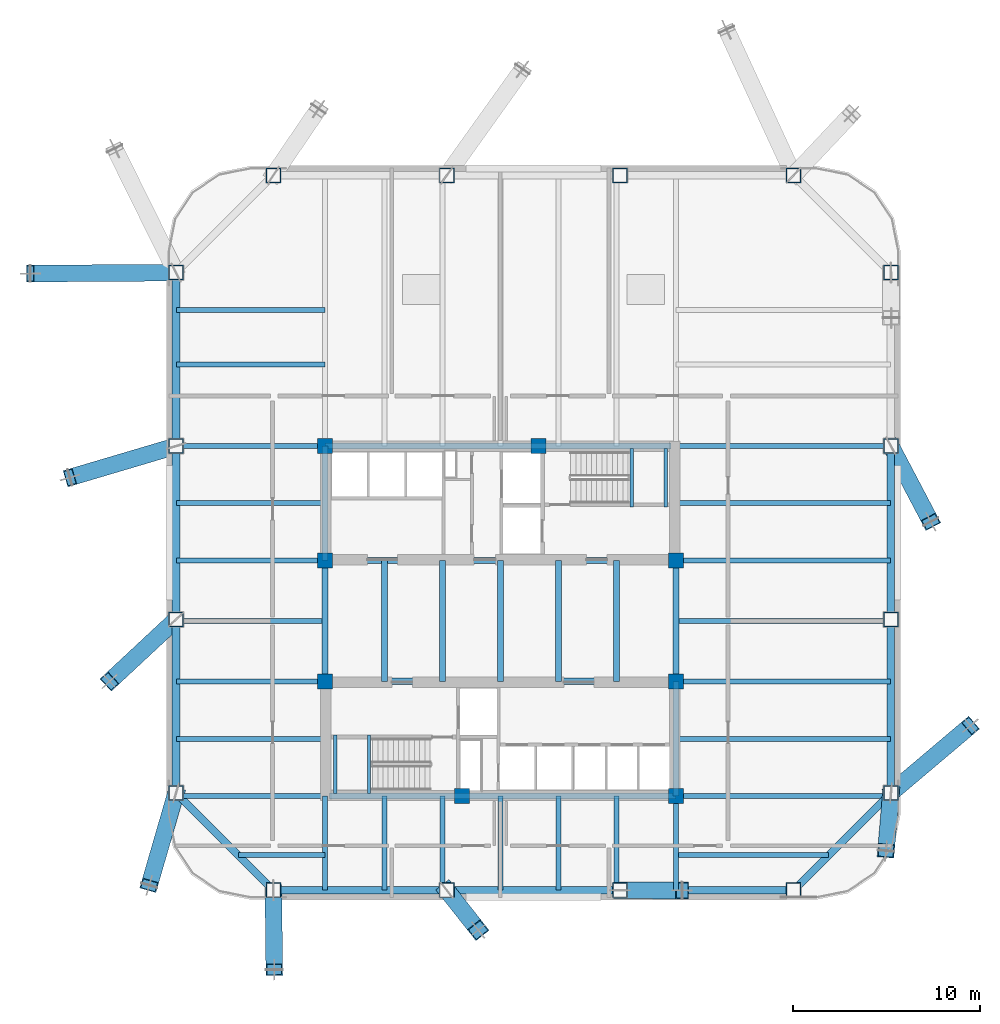
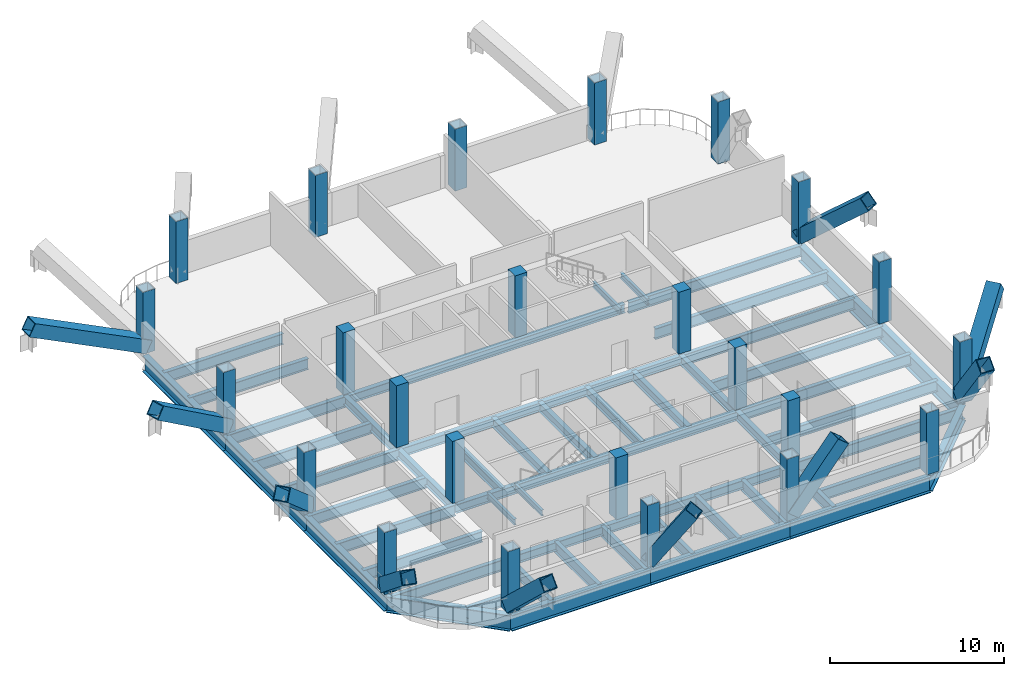
# One storey, part 1 of 7: 52 beams, 24 columns, 10 members.
"""IFC4 building model written with IfcOpenShell, lengths in metres."""

import ifcopenshell
import ifcopenshell.guid

model = None  # the IFC model being written
_history = None  # IfcOwnerHistory: only IFC2X3 demands one
_inside = {}  # id of a spatial element -> (the spatial element, [elements in it])
_under = {}  # id of a project, library or spatial element -> (it, [spatial elements below it])
_declared = {}  # id of a project -> (the project, [libraries it declares])
_typed = {}  # id of a type object -> (the type object, [elements of that type])
_made_of = {}  # id of a material, layer set ... -> (it, [elements and type objects made of it])


def new_model(schema):
    """Start an empty IFC model of exactly this schema.

    Asked for "IFC4X3", IfcOpenShell would pick the latest addendum, in which some entities
    have other attributes; the version numbers below select the first issue.
    IFC2X3 requires an IfcOwnerHistory on every rooted entity: one is made here for all.
    """
    global model, _history
    if schema == "IFC4X3":
        model = ifcopenshell.file(schema_version=(4, 3, 0, 0))
    else:
        model = ifcopenshell.file(schema=schema)
    _inside.clear()
    _under.clear()
    _declared.clear()
    _typed.clear()
    _made_of.clear()
    _history = None
    if model.schema == "IFC2X3":
        org = make("IfcOrganization", Name="unknown")
        user = make(
            "IfcPersonAndOrganization",
            ThePerson=make("IfcPerson", FamilyName="unknown"),
            TheOrganization=org,
        )
        app = make(
            "IfcApplication",
            ApplicationDeveloper=org,
            Version="unknown",
            ApplicationFullName="unknown",
            ApplicationIdentifier="unknown",
        )
        _history = make(
            "IfcOwnerHistory",
            OwningUser=user,
            OwningApplication=app,
            ChangeAction="ADDED",
            CreationDate=0,
        )
    return model


def make(cls, **values):
    """One entity of the class cls with the attributes given. An attribute that is None is left unset."""
    return model.create_entity(
        cls, **{name: value for name, value in values.items() if value is not None}
    )


def rooted(cls, **values):
    """An entity with a GlobalId (a new one), such as an element, a storey or a relation."""
    return make(cls, GlobalId=ifcopenshell.guid.new(), OwnerHistory=_history, **values)


def si_unit(unit_type, name, prefix=None):
    """IfcSIUnit, for example si_unit("LENGTHUNIT", "METRE", prefix="MILLI")."""
    return make("IfcSIUnit", UnitType=unit_type, Prefix=prefix, Name=name)


def assignment(units):
    """IfcUnitAssignment: the units of a project."""
    return None if units is None else make("IfcUnitAssignment", Units=units)


def point(xyz):
    """IfcCartesianPoint."""
    return None if xyz is None else make("IfcCartesianPoint", Coordinates=xyz)


def direction(xyz):
    """IfcDirection."""
    return None if xyz is None else make("IfcDirection", DirectionRatios=xyz)


def frame(location, z_axis=None, x_axis=None):
    """IfcAxis2Placement3D, a coordinate frame: its origin and axes. An axis left out is left unset."""
    return make(
        "IfcAxis2Placement3D",
        Location=point(location),
        Axis=direction(z_axis),
        RefDirection=direction(x_axis),
    )


def frame_2d(location, x_axis=None):
    """IfcAxis2Placement2D, a coordinate frame in the plane: its origin and x axis."""
    return make(
        "IfcAxis2Placement2D", Location=point(location), RefDirection=direction(x_axis)
    )


def origin():
    """The frame at (0, 0, 0) with its axes left unset."""
    return frame((0.0, 0.0, 0.0))


def origin_2d():
    """The frame at (0, 0) in the plane with its x axis left unset."""
    return frame_2d((0.0, 0.0))


def place(relative_to, where):
    """IfcLocalPlacement: puts the frame where relative to a parent placement (None: the world)."""
    return make(
        "IfcLocalPlacement", PlacementRelTo=relative_to, RelativePlacement=where
    )


def context(
    kind, dimensions, precision=None, world=None, true_north=None, identifier=None
):
    """IfcGeometricRepresentationContext, for example the 3D "Model" context."""
    return make(
        "IfcGeometricRepresentationContext",
        ContextIdentifier=identifier,
        ContextType=kind,
        CoordinateSpaceDimension=dimensions,
        Precision=precision,
        WorldCoordinateSystem=world,
        TrueNorth=true_north,
    )


def subcontext(parent, identifier, kind, view, scale=None):
    """IfcGeometricRepresentationSubContext, for example "Body" below "Model"."""
    return make(
        "IfcGeometricRepresentationSubContext",
        ContextIdentifier=identifier,
        ContextType=kind,
        ParentContext=parent,
        TargetScale=scale,
        TargetView=view,
    )


def project(units=None, contexts=None):
    """IfcProject with its units and contexts."""
    return rooted(
        "IfcProject",
        Name="project",
        RepresentationContexts=contexts,
        UnitsInContext=assignment(units),
    )


def spatial(cls, under=None, at=None, **own):
    """A site, building, storey or space (cls), placed at a placement, below another one or the project."""
    s = rooted(cls, ObjectPlacement=at, **own)
    if under is not None:
        _under.setdefault(under.id(), (under, []))[1].append(s)
    return s


def profile(cls, at=None, kind="AREA", **sizes):
    """A parametric profile (cls). Its sizes go by their IFC names, for example OverallWidth=200.0."""
    return make(cls, ProfileType=kind, Position=at, **sizes)


def rectangle(**sizes):
    """IfcRectangleProfileDef."""
    return profile("IfcRectangleProfileDef", **sizes)


def hollow_rectangle(**sizes):
    """IfcRectangleHollowProfileDef."""
    return profile("IfcRectangleHollowProfileDef", **sizes)


def i_section(**sizes):
    """IfcIShapeProfileDef."""
    return profile("IfcIShapeProfileDef", **sizes)


def extrude(swept, where, along, depth):
    """IfcExtrudedAreaSolid: the profile swept, set in the frame where, extruded along a direction by depth."""
    return make(
        "IfcExtrudedAreaSolid",
        SweptArea=swept,
        Position=where,
        ExtrudedDirection=direction(along),
        Depth=depth,
    )


def shape(context_of_items, identifier, shape_type, items):
    """IfcShapeRepresentation: the items that make up one representation, for example the "Body"."""
    return make(
        "IfcShapeRepresentation",
        ContextOfItems=context_of_items,
        RepresentationIdentifier=identifier,
        RepresentationType=shape_type,
        Items=items,
    )


def material(Name=None, Category=None):
    """IfcMaterial."""
    return make("IfcMaterial", Name=Name, Category=Category)


def material_profile(
    of_material, cross_section, Name=None, Category=None, Priority=None
):
    """IfcMaterialProfile: a cross section and its material."""
    return make(
        "IfcMaterialProfile",
        Name=Name,
        Material=of_material,
        Profile=cross_section,
        Priority=Priority,
        Category=Category,
    )


def profile_set(profiles, Name=None, composite=None):
    """IfcMaterialProfileSet."""
    return make(
        "IfcMaterialProfileSet",
        Name=Name,
        MaterialProfiles=profiles,
        CompositeProfile=composite,
    )


def made_of(thing, what):
    """Note that an element or type object is made of a material, layer set ...; save() writes the relation."""
    if what is not None:
        _made_of.setdefault(what.id(), (what, []))[1].append(thing)
    return thing


def type_object(cls, material=None, **own):
    """A type object (cls), such as IfcWallType, which elements share."""
    return made_of(rooted(cls, **own), material)


def element(
    cls,
    number,
    at=None,
    inside=None,
    cuts=None,
    type_object=None,
    material=None,
    context=None,
    identifier="Body",
    shape_type=None,
    held_by="IfcProductDefinitionShape",
    body=None,
    shapes=None,
    **own,
):
    """One element of the class cls, such as IfcWall. Its Tag is "e" and its number.

    at: its placement. inside: the storey or other place that contains it. cuts: it is an
    opening in that element (IfcRelVoidsElement). A single representation is given by context,
    identifier, shape_type and body (its items); several are given by shapes. held_by: the class
    of the entity that holds the representations. save() writes the other relations.
    """
    e = rooted(cls, Tag="e%d" % number, ObjectPlacement=at, **own)
    if body is not None:
        shapes = [shape(context, identifier, shape_type, body)]
    if shapes is not None:
        e.Representation = make(held_by, Representations=shapes)
    if inside is not None:
        _inside.setdefault(inside.id(), (inside, []))[1].append(e)
    if cuts is not None:
        rooted(
            "IfcRelVoidsElement", RelatingBuildingElement=cuts, RelatedOpeningElement=e
        )
    if type_object is not None:
        _typed.setdefault(type_object.id(), (type_object, []))[1].append(e)
    return made_of(e, material)


def aggregate(whole, parts):
    """IfcRelAggregates: a whole, such as a stair, and the parts it consists of."""
    return rooted("IfcRelAggregates", RelatingObject=whole, RelatedObjects=parts)


def save(model, path):
    """Write the relations noted so far, then the file.

    IfcRelAggregates (storeys below a building ...), IfcRelContainedInSpatialStructure (elements
    in a storey), IfcRelDefinesByType, IfcRelAssociatesMaterial and IfcRelDeclares: one each for
    every whole, place, type object, material and project.
    """
    for whole, parts in _under.values():
        aggregate(whole, parts)
    for where, things in _inside.values():
        rooted(
            "IfcRelContainedInSpatialStructure",
            RelatedElements=things,
            RelatingStructure=where,
        )
    for kind, things in _typed.values():
        rooted("IfcRelDefinesByType", RelatedObjects=things, RelatingType=kind)
    for what, things in _made_of.values():
        rooted("IfcRelAssociatesMaterial", RelatedObjects=things, RelatingMaterial=what)
    for by, libraries in _declared.values():
        rooted("IfcRelDeclares", RelatingContext=by, RelatedDefinitions=libraries)
    model.write(path)


model = new_model("IFC4")

# Units and contexts
model_context = context("Model", 3, precision=1e-05, world=origin(), true_north=direction((0.0, 1.0)))
body_context = subcontext(model_context, "Body", "Model", "MODEL_VIEW")
ifc_project = project(units=[si_unit("LENGTHUNIT", "METRE"), si_unit("AREAUNIT", "SQUARE_METRE"), si_unit("VOLUMEUNIT", "CUBIC_METRE"), si_unit("PLANEANGLEUNIT", "RADIAN"), si_unit("MASSUNIT", "GRAM", prefix="KILO")], contexts=[model_context])

# Site, building, storey
site_placement = place(None, origin())
site = spatial("IfcSite", under=ifc_project, at=site_placement, CompositionType="ELEMENT")
building_placement = place(site_placement, origin())
building = spatial("IfcBuilding", under=site, at=building_placement, Name="Qhalaya Broadcast Tower", CompositionType="ELEMENT")
storey_placement = place(building_placement, frame((0.0, 0.0, 108.449951171875)))
storey = spatial("IfcBuildingStorey", under=building, at=storey_placement, Name="L31", CompositionType="ELEMENT", Elevation=108.449951171875)

# Columns
ifc_material_1 = material(Name="Concrete C50/60", Category="concrete")
ifc_material_profile_1 = material_profile(ifc_material_1, rectangle(XDim=0.800048828125, YDim=0.800048828125, at=origin_2d()), Name="RC-COL 800x800")
ifc_profile_set_1 = profile_set([ifc_material_profile_1], Name="Concrete C50/60")
column_type_1 = type_object("IfcColumnType", Name="RC Upper Column C10", PredefinedType="COLUMN", material=ifc_profile_set_1)
for number, where, z_axis, x_axis, name in (
    (1, (-9.375, 9.949951171875, 0.0), (0.0, 0.0, 1.0), (1.0, 0.0, 0.0), "L31 Column COL-CC1"),
    (2, (2.050048828125, 9.949951171875, 0.0), (0.0, 0.0, 1.0), (1.0, 0.0, 0.0), "L31 Column COL-CC2"),
    (3, (-9.375, 3.824951171875, 0.0), (0.0, 0.0, 1.0), (1.0, 0.0, 0.0), "L31 Column COL-CC3"),
    (4, (9.375, 3.824951171875, 0.0), (0.0, 0.0, 1.0), (1.0, 0.0, 0.0), "L31 Column COL-CC4"),
    (5, (-9.375, -2.625, 0.0), (0.0, 0.0, 1.0), (1.0, 0.0, 0.0), "L31 Column COL-CC5"),
    (6, (9.375, -2.625, 0.0), (0.0, 0.0, 1.0), (1.0, 0.0, 0.0), "L31 Column COL-CC6"),
    (7, (-2.050048828125, -8.75, 0.0), (0.0, 0.0, 1.0), (1.0, 0.0, 0.0), "L31 Column COL-CC7"),
    (8, (9.375, -8.75, 0.0), (0.0, 0.0, 1.0), (1.0, 0.0, 0.0), "L31 Column COL-CC8"),
):
    element("IfcColumn", number, at=place(storey_placement, frame(where, z_axis=z_axis, x_axis=x_axis)), inside=storey, type_object=column_type_1, Name=name, PredefinedType="COLUMN", context=body_context, shape_type="SweptSolid", body=[
        extrude(rectangle(XDim=0.800048828125, YDim=0.800048828125, at=origin_2d()), origin(), (0.0, 0.0, 1.0), 4.35009765625),
    ])
ifc_material_2 = material(Name="Structural Steel ASTM A572 Grade 50", Category="steel")
ifc_material_profile_2 = material_profile(ifc_material_2, hollow_rectangle(XDim=0.800048828125, YDim=0.800048828125, WallThickness=0.050048828125, at=origin_2d()), Name="BOX 800x800x50")
ifc_profile_set_2 = profile_set([ifc_material_profile_2], Name="Structural Steel ASTM A572 Grade 50")
column_type_2 = type_object("IfcColumnType", Name="Steel Box Column C03", PredefinedType="COLUMN", material=ifc_profile_set_2)
for number, where, z_axis, x_axis, name in (
    (9, (-12.1298828125, -13.7900390625, 0.0), (0.0, 0.0, 1.0), (1.0, 0.0, 0.0), "L31 Column COL-NK01"),
    (10, (-2.86328125, -13.7900390625, 0.0), (0.0, 0.0, 1.0), (1.0, 0.0, 0.0), "L31 Column COL-NK02"),
    (11, (6.4033203125, -13.7900390625, 0.0), (0.0, 0.0, 1.0), (1.0, 0.0, 0.0), "L31 Column COL-NK03"),
    (12, (15.669921875, -13.7900390625, 0.0), (0.0, 0.0, 1.0), (1.0, 0.0, 0.0), "L31 Column COL-NK04"),
    (13, (20.8701171875, -8.590087890625, 0.0), (0.0, 0.0, 1.0), (0.0, 1.0, 0.0), "L31 Column COL-NK05"),
    (14, (20.8701171875, 0.6767578125, 0.0), (0.0, 0.0, 1.0), (0.0, 1.0, 0.0), "L31 Column COL-NK06"),
    (15, (20.8701171875, 9.943359375, 0.0), (0.0, 0.0, 1.0), (0.0, 1.0, 0.0), "L31 Column COL-NK07"),
    (16, (20.8701171875, 19.2099609375, 0.0), (0.0, 0.0, 1.0), (0.0, 1.0, 0.0), "L31 Column COL-NK08"),
    (17, (15.669921875, 24.409912109375, 0.0), (0.0, 0.0, 1.0), (1.0, 0.0, 0.0), "L31 Column COL-NK09"),
    (18, (6.4033203125, 24.409912109375, 0.0), (0.0, 0.0, 1.0), (1.0, 0.0, 0.0), "L31 Column COL-NK10"),
    (19, (-2.86328125, 24.409912109375, 0.0), (0.0, 0.0, 1.0), (1.0, 0.0, 0.0), "L31 Column COL-NK11"),
    (20, (-12.1298828125, 24.409912109375, 0.0), (0.0, 0.0, 1.0), (1.0, 0.0, 0.0), "L31 Column COL-NK12"),
    (21, (-17.330078125, 19.2099609375, 0.0), (0.0, 0.0, 1.0), (0.0, 1.0, 0.0), "L31 Column COL-NK13"),
    (22, (-17.330078125, 9.943359375, 0.0), (0.0, 0.0, 1.0), (0.0, 1.0, 0.0), "L31 Column COL-NK14"),
    (23, (-17.330078125, 0.6767578125, 0.0), (0.0, 0.0, 1.0), (0.0, 1.0, 0.0), "L31 Column COL-NK15"),
    (24, (-17.330078125, -8.590087890625, 0.0), (0.0, 0.0, 1.0), (0.0, 1.0, 0.0), "L31 Column COL-NK16"),
):
    element("IfcColumn", number, at=place(storey_placement, frame(where, z_axis=z_axis, x_axis=x_axis)), inside=storey, type_object=column_type_2, Name=name, PredefinedType="COLUMN", context=body_context, shape_type="SweptSolid", body=[
        extrude(hollow_rectangle(XDim=0.800048828125, YDim=0.800048828125, WallThickness=0.050048828125, at=origin_2d()), origin(), (0.0, 0.0, 1.0), 4.35009765625),
    ])

# Beams
ifc_material_3 = material(Name="Structural Steel ASTM A992 Grade 50", Category="steel")
ifc_material_profile_3 = material_profile(ifc_material_3, i_section(OverallWidth=0.323974609375, OverallDepth=0.612060546875, WebThickness=0.0126953125, FlangeThickness=0.01904296875, at=origin_2d()), Name="W24X104")
ifc_profile_set_3 = profile_set([ifc_material_profile_3], Name="Structural Steel ASTM A992 Grade 50")
beam_type_1 = type_object("IfcBeamType", Name="Core Frame Tie Beam B04", PredefinedType="BEAM", material=ifc_profile_set_3)
beam_1_placement = place(storey_placement, frame((-9.375, 3.824951171875, -0.68603515625), z_axis=(1.0, 0.0, 0.0), x_axis=(0.0, 1.0, 0.0)))
element("IfcBeam", 25, at=beam_1_placement, inside=storey, type_object=beam_type_1, Name="L31 B04 L31-CCN1", PredefinedType="BEAM", context=body_context, shape_type="SweptSolid", body=[
    extrude(i_section(OverallWidth=0.323974609375, OverallDepth=0.612060546875, WebThickness=0.0126953125, FlangeThickness=0.01904296875, at=origin_2d()), origin(), (0.0, 0.0, 1.0), 18.75),
])
beam_2_placement = place(storey_placement, frame((-9.375, 3.824951171875, -0.68603515625), z_axis=(0.0, 1.0, 0.0), x_axis=(-1.0, 0.0, 0.0)))
element("IfcBeam", 26, at=beam_2_placement, inside=storey, type_object=beam_type_1, Name="L31 B04 L31-CCN2", PredefinedType="BEAM", context=body_context, shape_type="SweptSolid", body=[
    extrude(i_section(OverallWidth=0.323974609375, OverallDepth=0.612060546875, WebThickness=0.0126953125, FlangeThickness=0.01904296875, at=origin_2d()), origin(), (0.0, 0.0, 1.0), 6.125),
])
beam_3_placement = place(storey_placement, frame((-9.375, 9.949951171875, -0.68603515625), z_axis=(1.0, 0.0, 0.0), x_axis=(0.0, 1.0, 0.0)))
element("IfcBeam", 27, at=beam_3_placement, inside=storey, type_object=beam_type_1, Name="L31 B04 L31-CCN3", PredefinedType="BEAM", context=body_context, shape_type="SweptSolid", body=[
    extrude(i_section(OverallWidth=0.323974609375, OverallDepth=0.612060546875, WebThickness=0.0126953125, FlangeThickness=0.01904296875, at=origin_2d()), origin(), (0.0, 0.0, 1.0), 18.4951171875),
])
beam_4_placement = place(storey_placement, frame((-9.375, -2.625, -0.68603515625), z_axis=(1.0, 0.0, 0.0), x_axis=(0.0, 1.0, 0.0)))
element("IfcBeam", 28, at=beam_4_placement, inside=storey, type_object=beam_type_1, Name="L31 B04 L31-CCS1", PredefinedType="BEAM", context=body_context, shape_type="SweptSolid", body=[
    extrude(i_section(OverallWidth=0.323974609375, OverallDepth=0.612060546875, WebThickness=0.0126953125, FlangeThickness=0.01904296875, at=origin_2d()), origin(), (0.0, 0.0, 1.0), 18.75),
])
beam_5_placement = place(storey_placement, frame((9.375, -8.75, -0.68603515625), z_axis=(0.0, 1.0, 0.0), x_axis=(-1.0, 0.0, 0.0)))
element("IfcBeam", 29, at=beam_5_placement, inside=storey, type_object=beam_type_1, Name="L31 B04 L31-CCS2", PredefinedType="BEAM", context=body_context, shape_type="SweptSolid", body=[
    extrude(i_section(OverallWidth=0.323974609375, OverallDepth=0.612060546875, WebThickness=0.0126953125, FlangeThickness=0.01904296875, at=origin_2d()), origin(), (0.0, 0.0, 1.0), 6.125),
])
beam_6_placement = place(storey_placement, frame((-9.1201171875, -8.75, -0.68603515625), z_axis=(1.0, 0.0, 0.0), x_axis=(0.0, 1.0, 0.0)))
element("IfcBeam", 30, at=beam_6_placement, inside=storey, type_object=beam_type_1, Name="L31 B04 L31-CCS3", PredefinedType="BEAM", context=body_context, shape_type="SweptSolid", body=[
    extrude(i_section(OverallWidth=0.323974609375, OverallDepth=0.612060546875, WebThickness=0.0126953125, FlangeThickness=0.01904296875, at=origin_2d()), origin(), (0.0, 0.0, 1.0), 18.4951171875),
])
for number, where, z_axis, x_axis, name in (
    (31, (-9.375, -2.625, -0.68603515625), (0.0, 1.0, 0.0), (-1.0, 0.0, 0.0), "L31 B04 L31-CCW"),
    (32, (9.375, -2.625, -0.68603515625), (0.0, 1.0, 0.0), (-1.0, 0.0, 0.0), "L31 B04 L31-CCE"),
    (33, (-6.199951171875, -2.625, -0.68603515625), (0.0, 1.0, 0.0), (-1.0, 0.0, 0.0), "L31 B04 L31-JC1-1"),
    (34, (-3.10009765625, -2.625, -0.68603515625), (0.0, 1.0, 0.0), (-1.0, 0.0, 0.0), "L31 B04 L31-JC2-1"),
    (35, (0.0, -2.625, -0.68603515625), (0.0, 1.0, 0.0), (-1.0, 0.0, 0.0), "L31 B04 L31-JC3-1"),
    (36, (3.10009765625, -2.625, -0.68603515625), (0.0, 1.0, 0.0), (-1.0, 0.0, 0.0), "L31 B04 L31-JC4-1"),
    (37, (6.199951171875, -2.625, -0.68603515625), (0.0, 1.0, 0.0), (-1.0, 0.0, 0.0), "L31 B04 L31-JC5-1"),
):
    element("IfcBeam", number, at=place(storey_placement, frame(where, z_axis=z_axis, x_axis=x_axis)), inside=storey, type_object=beam_type_1, Name=name, PredefinedType="BEAM", context=body_context, shape_type="SweptSolid", body=[
        extrude(i_section(OverallWidth=0.323974609375, OverallDepth=0.612060546875, WebThickness=0.0126953125, FlangeThickness=0.01904296875, at=origin_2d()), origin(), (0.0, 0.0, 1.0), 6.449951171875),
    ])

# Members
ifc_material_profile_4 = material_profile(ifc_material_2, hollow_rectangle(XDim=0.89990234375, YDim=0.89990234375, WallThickness=0.054931640625, at=origin_2d()), Name="BOX 900x900x55")
ifc_profile_set_4 = profile_set([ifc_material_profile_4], Name="Structural Steel ASTM A572 Grade 50")
member_type = type_object("IfcMemberType", Name="Heavy Exoskeleton Transfer Strut RK1", PredefinedType="BRACE", material=ifc_profile_set_4)
member_1_placement = place(storey_placement, frame((-12.1298828125, -13.7900390625, 0.337158203125), z_axis=(0.008607772752, -0.726771803304, 0.686825052084), x_axis=(0.999929869043, 0.011843014605, 0.0)))
element("IfcMember", 38, at=member_1_placement, inside=storey, type_object=member_type, Name="L31 Inclined Exoskeleton Transfer Strut 01", PredefinedType="BRACE", context=body_context, shape_type="SweptSolid", body=[
    extrude(hollow_rectangle(XDim=0.89990234375, YDim=0.89990234375, WallThickness=0.054931640625, at=origin_2d()), origin(), (0.0, 0.0, 1.0), 5.8427734375),
])
member_2_placement = place(storey_placement, frame((-2.86328125, -13.7900390625, 0.258544921875), z_axis=(0.342251163723, -0.43362093378, 0.833568849417), x_axis=(0.784954207118, 0.619553785178, 0.0)))
element("IfcMember", 39, at=member_2_placement, inside=storey, type_object=member_type, Name="L31 Inclined Exoskeleton Transfer Strut 02", PredefinedType="BRACE", context=body_context, shape_type="SweptSolid", body=[
    extrude(hollow_rectangle(XDim=0.89990234375, YDim=0.89990234375, WallThickness=0.054931640625, at=origin_2d()), origin(), (0.0, 0.0, 1.0), 4.908447265625),
])
member_3_placement = place(storey_placement, frame((6.4033203125, -13.7900390625, 0.29443359375), z_axis=(0.632212469565, -0.001958902525, 0.774792589038), x_axis=(0.003098472769, 0.999995199722, 0.0)))
element("IfcMember", 40, at=member_3_placement, inside=storey, type_object=member_type, Name="L31 Inclined Exoskeleton Transfer Strut 03", PredefinedType="BRACE", context=body_context, shape_type="SweptSolid", body=[
    extrude(hollow_rectangle(XDim=0.89990234375, YDim=0.89990234375, WallThickness=0.054931640625, at=origin_2d()), origin(), (0.0, 0.0, 1.0), 5.234619140625),
])
member_4_placement = place(storey_placement, frame((20.8701171875, -8.590087890625, 0.282958984375), z_axis=(-0.051110401925, -0.604448506802, 0.795002974485), x_axis=(0.996444106836, -0.084256406002, 0.0)))
element("IfcMember", 41, at=member_4_placement, inside=storey, type_object=member_type, Name="L31 Inclined Exoskeleton Transfer Strut 04", PredefinedType="BRACE", context=body_context, shape_type="SweptSolid", body=[
    extrude(hollow_rectangle(XDim=0.89990234375, YDim=0.89990234375, WallThickness=0.054931640625, at=origin_2d()), origin(), (0.0, 0.0, 1.0), 5.115966796875),
])
member_5_placement = place(storey_placement, frame((20.8701171875, -8.590087890625, 0.376220703125), z_axis=(0.621254502013, 0.525344408987, 0.581425915896), x_axis=(-0.645704065756, 0.763587754921, 0.0)))
element("IfcMember", 42, at=member_5_placement, inside=storey, type_object=member_type, Name="L31 Inclined Exoskeleton Transfer Strut 05", PredefinedType="BRACE", context=body_context, shape_type="SweptSolid", body=[
    extrude(hollow_rectangle(XDim=0.89990234375, YDim=0.89990234375, WallThickness=0.054931640625, at=origin_2d()), origin(), (0.0, 0.0, 1.0), 6.834716796875),
])
member_6_placement = place(storey_placement, frame((20.8701171875, 9.943359375, 0.3486328125), z_axis=(0.350257761864, -0.666040227218, 0.658566561541), x_axis=(0.885076850546, 0.465444914708, 0.0)))
element("IfcMember", 43, at=member_6_placement, inside=storey, type_object=member_type, Name="L31 Inclined Exoskeleton Transfer Strut 06", PredefinedType="BRACE", context=body_context, shape_type="SweptSolid", body=[
    extrude(hollow_rectangle(XDim=0.89990234375, YDim=0.89990234375, WallThickness=0.054931640625, at=origin_2d()), origin(), (0.0, 0.0, 1.0), 6.075927734375),
])
member_7_placement = place(storey_placement, frame((-17.330078125, 19.2099609375, 0.41162109375), z_axis=(-0.892320827928, -0.005791747503, 0.45136459288), x_axis=(0.006490519247, -0.999978936358, 0.0)))
element("IfcMember", 44, at=member_7_placement, inside=storey, type_object=member_type, Name="L31 Inclined Exoskeleton Transfer Strut 13", PredefinedType="BRACE", context=body_context, shape_type="SweptSolid", body=[
    extrude(hollow_rectangle(XDim=0.89990234375, YDim=0.89990234375, WallThickness=0.054931640625, at=origin_2d()), origin(), (0.0, 0.0, 1.0), 8.725830078125),
])
member_8_placement = place(storey_placement, frame((-17.330078125, 9.943359375, 0.3837890625), z_axis=(-0.796191465204, -0.235973358835, 0.557131694177), x_axis=(0.284160037654, -0.958776862988, 0.0)))
element("IfcMember", 45, at=member_8_placement, inside=storey, type_object=member_type, Name="L31 Inclined Exoskeleton Transfer Strut 14", PredefinedType="BRACE", context=body_context, shape_type="SweptSolid", body=[
    extrude(hollow_rectangle(XDim=0.89990234375, YDim=0.89990234375, WallThickness=0.054931640625, at=origin_2d()), origin(), (0.0, 0.0, 1.0), 7.119140625),
])
member_9_placement = place(storey_placement, frame((-17.330078125, 0.6767578125, 0.357666015625), z_axis=(-0.564922819702, -0.526580169238, 0.635275950391), x_axis=(0.681846749141, -0.731495051716, 0.0)))
element("IfcMember", 46, at=member_9_placement, inside=storey, type_object=member_type, Name="L31 Inclined Exoskeleton Transfer Strut 15", PredefinedType="BRACE", context=body_context, shape_type="SweptSolid", body=[
    extrude(hollow_rectangle(XDim=0.89990234375, YDim=0.89990234375, WallThickness=0.054931640625, at=origin_2d()), origin(), (0.0, 0.0, 1.0), 6.28466796875),
])
member_10_placement = place(storey_placement, frame((-17.330078125, -8.590087890625, 0.36572265625), z_axis=(-0.220188225794, -0.759193390078, 0.612488809436), x_axis=(0.960421645216, -0.278550288817, 0.0)))
element("IfcMember", 47, at=member_10_placement, inside=storey, type_object=member_type, Name="L31 Inclined Exoskeleton Transfer Strut 16", PredefinedType="BRACE", context=body_context, shape_type="SweptSolid", body=[
    extrude(hollow_rectangle(XDim=0.89990234375, YDim=0.89990234375, WallThickness=0.054931640625, at=origin_2d()), origin(), (0.0, 0.0, 1.0), 6.505126953125),
])

# Beams
ifc_material_profile_5 = material_profile(ifc_material_3, i_section(OverallWidth=0.26708984375, OverallDepth=0.780029296875, WebThickness=0.0166015625, FlangeThickness=0.030029296875, at=origin_2d()), Name="W30X148")
ifc_profile_set_5 = profile_set([ifc_material_profile_5], Name="Structural Steel ASTM A992 Grade 50")
beam_type_2 = type_object("IfcBeamType", Name="Neck & Crown Primary Girder PG5", PredefinedType="USERDEFINED", material=ifc_profile_set_5)
for number, where, z_axis, x_axis, name in (
    (48, (-9.375, -13.77001953125, -0.77001953125), (0.0, 1.0, 0.0), (-1.0, 0.0, 0.0), "L31 PG5 L31-PGXS1-1"),
    (49, (9.375, -13.77001953125, -0.77001953125), (0.0, 1.0, 0.0), (-1.0, 0.0, 0.0), "L31 PG5 L31-PGXS2-1"),
):
    element("IfcBeam", number, at=place(storey_placement, frame(where, z_axis=z_axis, x_axis=x_axis)), inside=storey, type_object=beam_type_2, Name=name, ObjectType="GIRDER", PredefinedType="USERDEFINED", context=body_context, shape_type="SweptSolid", body=[
        extrude(i_section(OverallWidth=0.26708984375, OverallDepth=0.780029296875, WebThickness=0.0166015625, FlangeThickness=0.030029296875, at=origin_2d()), origin(), (0.0, 0.0, 1.0), 5.02001953125),
    ])
beam_7_placement = place(storey_placement, frame((-17.1416015625, -8.75, -0.77001953125), z_axis=(1.0, 0.0, 0.0), x_axis=(0.0, 1.0, 0.0)))
element("IfcBeam", 50, at=beam_7_placement, inside=storey, type_object=beam_type_2, Name="L31 PG5 L31-PGYW1-1", ObjectType="GIRDER", PredefinedType="USERDEFINED", context=body_context, shape_type="SweptSolid", body=[
    extrude(i_section(OverallWidth=0.26708984375, OverallDepth=0.780029296875, WebThickness=0.0166015625, FlangeThickness=0.030029296875, at=origin_2d()), origin(), (0.0, 0.0, 1.0), 7.7666015625),
])
beam_8_placement = place(storey_placement, frame((9.375, -8.75, -0.77001953125), z_axis=(1.0, 0.0, 0.0), x_axis=(0.0, 1.0, 0.0)))
element("IfcBeam", 51, at=beam_8_placement, inside=storey, type_object=beam_type_2, Name="L31 PG5 L31-PGYE1-1", ObjectType="GIRDER", PredefinedType="USERDEFINED", context=body_context, shape_type="SweptSolid", body=[
    extrude(i_section(OverallWidth=0.26708984375, OverallDepth=0.780029296875, WebThickness=0.0166015625, FlangeThickness=0.030029296875, at=origin_2d()), origin(), (0.0, 0.0, 1.0), 11.306640625),
])
beam_9_placement = place(storey_placement, frame((-17.31005859375, -2.625, -0.77001953125), z_axis=(1.0, 0.0, 0.0), x_axis=(0.0, 1.0, 0.0)))
element("IfcBeam", 52, at=beam_9_placement, inside=storey, type_object=beam_type_2, Name="L31 PG5 L31-PGYW2-1", ObjectType="GIRDER", PredefinedType="USERDEFINED", context=body_context, shape_type="SweptSolid", body=[
    extrude(i_section(OverallWidth=0.26708984375, OverallDepth=0.780029296875, WebThickness=0.0166015625, FlangeThickness=0.030029296875, at=origin_2d()), origin(), (0.0, 0.0, 1.0), 7.93505859375),
])
beam_10_placement = place(storey_placement, frame((9.375, -2.625, -0.77001953125), z_axis=(1.0, 0.0, 0.0), x_axis=(0.0, 1.0, 0.0)))
element("IfcBeam", 53, at=beam_10_placement, inside=storey, type_object=beam_type_2, Name="L31 PG5 L31-PGYE2-1", ObjectType="GIRDER", PredefinedType="USERDEFINED", context=body_context, shape_type="SweptSolid", body=[
    extrude(i_section(OverallWidth=0.26708984375, OverallDepth=0.780029296875, WebThickness=0.0166015625, FlangeThickness=0.030029296875, at=origin_2d()), origin(), (0.0, 0.0, 1.0), 11.47509765625),
])
beam_11_placement = place(storey_placement, frame((-17.31005859375, 3.824951171875, -0.77001953125), z_axis=(1.0, 0.0, 0.0), x_axis=(0.0, 1.0, 0.0)))
element("IfcBeam", 54, at=beam_11_placement, inside=storey, type_object=beam_type_2, Name="L31 PG5 L31-PGYW3-1", ObjectType="GIRDER", PredefinedType="USERDEFINED", context=body_context, shape_type="SweptSolid", body=[
    extrude(i_section(OverallWidth=0.26708984375, OverallDepth=0.780029296875, WebThickness=0.0166015625, FlangeThickness=0.030029296875, at=origin_2d()), origin(), (0.0, 0.0, 1.0), 7.93505859375),
])
beam_12_placement = place(storey_placement, frame((9.375, 3.824951171875, -0.77001953125), z_axis=(1.0, 0.0, 0.0), x_axis=(0.0, 1.0, 0.0)))
element("IfcBeam", 55, at=beam_12_placement, inside=storey, type_object=beam_type_2, Name="L31 PG5 L31-PGYE3-1", ObjectType="GIRDER", PredefinedType="USERDEFINED", context=body_context, shape_type="SweptSolid", body=[
    extrude(i_section(OverallWidth=0.26708984375, OverallDepth=0.780029296875, WebThickness=0.0166015625, FlangeThickness=0.030029296875, at=origin_2d()), origin(), (0.0, 0.0, 1.0), 11.47509765625),
])
beam_13_placement = place(storey_placement, frame((-17.31005859375, 9.949951171875, -0.77001953125), z_axis=(1.0, 0.0, 0.0), x_axis=(0.0, 1.0, 0.0)))
element("IfcBeam", 56, at=beam_13_placement, inside=storey, type_object=beam_type_2, Name="L31 PG5 L31-PGYW4-1", ObjectType="GIRDER", PredefinedType="USERDEFINED", context=body_context, shape_type="SweptSolid", body=[
    extrude(i_section(OverallWidth=0.26708984375, OverallDepth=0.780029296875, WebThickness=0.0166015625, FlangeThickness=0.030029296875, at=origin_2d()), origin(), (0.0, 0.0, 1.0), 7.93505859375),
])
beam_14_placement = place(storey_placement, frame((9.375, 9.949951171875, -0.77001953125), z_axis=(1.0, 0.0, 0.0), x_axis=(0.0, 1.0, 0.0)))
element("IfcBeam", 57, at=beam_14_placement, inside=storey, type_object=beam_type_2, Name="L31 PG5 L31-PGYE4-1", ObjectType="GIRDER", PredefinedType="USERDEFINED", context=body_context, shape_type="SweptSolid", body=[
    extrude(i_section(OverallWidth=0.26708984375, OverallDepth=0.780029296875, WebThickness=0.0166015625, FlangeThickness=0.030029296875, at=origin_2d()), origin(), (0.0, 0.0, 1.0), 11.47509765625),
])
ifc_material_profile_6 = material_profile(ifc_material_3, i_section(OverallWidth=0.26708984375, OverallDepth=0.761962890625, WebThickness=0.014404296875, FlangeThickness=0.021484375, at=origin_2d()), Name="W30X116")
ifc_profile_set_6 = profile_set([ifc_material_profile_6], Name="Structural Steel ASTM A992 Grade 50")
beam_type_3 = type_object("IfcBeamType", Name="Plant & Server Floor Beam B02", PredefinedType="BEAM", material=ifc_profile_set_6)
for number, where, z_axis, x_axis, name in (
    (58, (-6.199951171875, -13.77001953125, -0.760986328125), (0.0, 1.0, 0.0), (-1.0, 0.0, 0.0), "L31 B02 L31-JNS1-1"),
    (59, (-3.10009765625, -13.77001953125, -0.760986328125), (0.0, 1.0, 0.0), (-1.0, 0.0, 0.0), "L31 B02 L31-JNS2-1"),
    (60, (0.0, -13.77001953125, -0.760986328125), (0.0, 1.0, 0.0), (-1.0, 0.0, 0.0), "L31 B02 L31-JNS3-1"),
    (61, (3.10009765625, -13.77001953125, -0.760986328125), (0.0, 1.0, 0.0), (-1.0, 0.0, 0.0), "L31 B02 L31-JNS4-1"),
    (62, (6.199951171875, -13.77001953125, -0.760986328125), (0.0, 1.0, 0.0), (-1.0, 0.0, 0.0), "L31 B02 L31-JNS5-1"),
):
    element("IfcBeam", number, at=place(storey_placement, frame(where, z_axis=z_axis, x_axis=x_axis)), inside=storey, type_object=beam_type_3, Name=name, PredefinedType="BEAM", context=body_context, shape_type="SweptSolid", body=[
        extrude(i_section(OverallWidth=0.26708984375, OverallDepth=0.761962890625, WebThickness=0.014404296875, FlangeThickness=0.021484375, at=origin_2d()), origin(), (0.0, 0.0, 1.0), 5.02001953125),
    ])
beam_15_placement = place(storey_placement, frame((-13.99169921875, -11.89990234375, -0.760986328125), z_axis=(1.0, 0.0, 0.0), x_axis=(0.0, 1.0, 0.0)))
element("IfcBeam", 63, at=beam_15_placement, inside=storey, type_object=beam_type_3, Name="L31 B02 L31-JWE2W-1", PredefinedType="BEAM", context=body_context, shape_type="SweptSolid", body=[
    extrude(i_section(OverallWidth=0.26708984375, OverallDepth=0.761962890625, WebThickness=0.014404296875, FlangeThickness=0.021484375, at=origin_2d()), origin(), (0.0, 0.0, 1.0), 4.61669921875),
])
beam_16_placement = place(storey_placement, frame((9.375, -11.89990234375, -0.760986328125), z_axis=(1.0, 0.0, 0.0), x_axis=(0.0, 1.0, 0.0)))
element("IfcBeam", 64, at=beam_16_placement, inside=storey, type_object=beam_type_3, Name="L31 B02 L31-JWE2E-1", PredefinedType="BEAM", context=body_context, shape_type="SweptSolid", body=[
    extrude(i_section(OverallWidth=0.26708984375, OverallDepth=0.761962890625, WebThickness=0.014404296875, FlangeThickness=0.021484375, at=origin_2d()), origin(), (0.0, 0.0, 1.0), 8.15673828125),
])
beam_17_placement = place(storey_placement, frame((-17.31005859375, -5.699951171875, -0.760986328125), z_axis=(1.0, 0.0, 0.0), x_axis=(0.0, 1.0, 0.0)))
element("IfcBeam", 65, at=beam_17_placement, inside=storey, type_object=beam_type_3, Name="L31 B02 L31-JWE3W-1", PredefinedType="BEAM", context=body_context, shape_type="SweptSolid", body=[
    extrude(i_section(OverallWidth=0.26708984375, OverallDepth=0.761962890625, WebThickness=0.014404296875, FlangeThickness=0.021484375, at=origin_2d()), origin(), (0.0, 0.0, 1.0), 7.93505859375),
])
beam_18_placement = place(storey_placement, frame((9.375, -5.699951171875, -0.760986328125), z_axis=(1.0, 0.0, 0.0), x_axis=(0.0, 1.0, 0.0)))
element("IfcBeam", 66, at=beam_18_placement, inside=storey, type_object=beam_type_3, Name="L31 B02 L31-JWE3E-1", PredefinedType="BEAM", context=body_context, shape_type="SweptSolid", body=[
    extrude(i_section(OverallWidth=0.26708984375, OverallDepth=0.761962890625, WebThickness=0.014404296875, FlangeThickness=0.021484375, at=origin_2d()), origin(), (0.0, 0.0, 1.0), 11.47509765625),
])
beam_19_placement = place(storey_placement, frame((-17.31005859375, 0.60009765625, -0.760986328125), z_axis=(1.0, 0.0, 0.0), x_axis=(0.0, 1.0, 0.0)))
element("IfcBeam", 67, at=beam_19_placement, inside=storey, type_object=beam_type_3, Name="L31 B02 L31-JWE4W-1", PredefinedType="BEAM", context=body_context, shape_type="SweptSolid", body=[
    extrude(i_section(OverallWidth=0.26708984375, OverallDepth=0.761962890625, WebThickness=0.014404296875, FlangeThickness=0.021484375, at=origin_2d()), origin(), (0.0, 0.0, 1.0), 7.93505859375),
])
beam_20_placement = place(storey_placement, frame((9.375, 0.60009765625, -0.760986328125), z_axis=(1.0, 0.0, 0.0), x_axis=(0.0, 1.0, 0.0)))
element("IfcBeam", 68, at=beam_20_placement, inside=storey, type_object=beam_type_3, Name="L31 B02 L31-JWE4E-1", PredefinedType="BEAM", context=body_context, shape_type="SweptSolid", body=[
    extrude(i_section(OverallWidth=0.26708984375, OverallDepth=0.761962890625, WebThickness=0.014404296875, FlangeThickness=0.021484375, at=origin_2d()), origin(), (0.0, 0.0, 1.0), 11.47509765625),
])
beam_21_placement = place(storey_placement, frame((-17.31005859375, 6.89990234375, -0.760986328125), z_axis=(1.0, 0.0, 0.0), x_axis=(0.0, 1.0, 0.0)))
element("IfcBeam", 69, at=beam_21_placement, inside=storey, type_object=beam_type_3, Name="L31 B02 L31-JWE5W-1", PredefinedType="BEAM", context=body_context, shape_type="SweptSolid", body=[
    extrude(i_section(OverallWidth=0.26708984375, OverallDepth=0.761962890625, WebThickness=0.014404296875, FlangeThickness=0.021484375, at=origin_2d()), origin(), (0.0, 0.0, 1.0), 7.93505859375),
])
beam_22_placement = place(storey_placement, frame((9.375, 6.89990234375, -0.760986328125), z_axis=(1.0, 0.0, 0.0), x_axis=(0.0, 1.0, 0.0)))
element("IfcBeam", 70, at=beam_22_placement, inside=storey, type_object=beam_type_3, Name="L31 B02 L31-JWE5E-1", PredefinedType="BEAM", context=body_context, shape_type="SweptSolid", body=[
    extrude(i_section(OverallWidth=0.26708984375, OverallDepth=0.761962890625, WebThickness=0.014404296875, FlangeThickness=0.021484375, at=origin_2d()), origin(), (0.0, 0.0, 1.0), 11.47509765625),
])
for number, where, z_axis, x_axis, name in (
    (71, (-17.31005859375, 14.300048828125, -0.760986328125), (1.0, 0.0, 0.0), (0.0, 1.0, 0.0), "L31 B02 L31-JWE6W-1"),
    (72, (-17.31005859375, 17.199951171875, -0.760986328125), (1.0, 0.0, 0.0), (0.0, 1.0, 0.0), "L31 B02 L31-JWE7W-1"),
):
    element("IfcBeam", number, at=place(storey_placement, frame(where, z_axis=z_axis, x_axis=x_axis)), inside=storey, type_object=beam_type_3, Name=name, PredefinedType="BEAM", context=body_context, shape_type="SweptSolid", body=[
        extrude(i_section(OverallWidth=0.26708984375, OverallDepth=0.761962890625, WebThickness=0.014404296875, FlangeThickness=0.021484375, at=origin_2d()), origin(), (0.0, 0.0, 1.0), 7.93505859375),
    ])
ifc_material_profile_7 = material_profile(ifc_material_3, i_section(OverallWidth=0.404052734375, OverallDepth=1.117919921875, WebThickness=0.026123046875, FlangeThickness=0.044921875, at=origin_2d()), Name="W44X335")
ifc_profile_set_7 = profile_set([ifc_material_profile_7], Name="Structural Steel ASTM A992 Grade 50")
beam_type_4 = type_object("IfcBeamType", Name="Podium Long-Span Primary Girder PG1", PredefinedType="USERDEFINED", material=ifc_profile_set_7)
for number, where, z_axis, x_axis, name in (
    (73, (-12.1298828125, -13.7900390625, -0.93896484375), (1.0, 0.0, 0.0), (0.0, 1.0, 0.0), "L31 PG1 L31-SPR-01"),
    (74, (-2.86328125, -13.7900390625, -0.93896484375), (1.0, 0.0, 0.0), (0.0, 1.0, 0.0), "L31 PG1 L31-SPR-02"),
    (75, (6.4033203125, -13.7900390625, -0.93896484375), (1.0, 0.0, 0.0), (0.0, 1.0, 0.0), "L31 PG1 L31-SPR-03"),
):
    element("IfcBeam", number, at=place(storey_placement, frame(where, z_axis=z_axis, x_axis=x_axis)), inside=storey, type_object=beam_type_4, Name=name, ObjectType="GIRDER", PredefinedType="USERDEFINED", context=body_context, shape_type="SweptSolid", body=[
        extrude(i_section(OverallWidth=0.404052734375, OverallDepth=1.117919921875, WebThickness=0.026123046875, FlangeThickness=0.044921875, at=origin_2d()), origin(), (0.0, 0.0, 1.0), 9.2666015625),
    ])
beam_23_placement = place(storey_placement, frame((15.669921875, -13.7900390625, -0.93896484375), z_axis=(0.707123380132, 0.707090181851, 0.0), x_axis=(-0.707090181851, 0.707123380132, 0.0)))
element("IfcBeam", 76, at=beam_23_placement, inside=storey, type_object=beam_type_4, Name="L31 PG1 L31-SPR-04", ObjectType="GIRDER", PredefinedType="USERDEFINED", context=body_context, shape_type="SweptSolid", body=[
    extrude(i_section(OverallWidth=0.404052734375, OverallDepth=1.117919921875, WebThickness=0.026123046875, FlangeThickness=0.044921875, at=origin_2d()), origin(), (0.0, 0.0, 1.0), 7.35400390625),
])
beam_24_placement = place(storey_placement, frame((20.8701171875, -8.590087890625, -0.93896484375), z_axis=(0.0, 1.0, 0.0), x_axis=(-1.0, 0.0, 0.0)))
element("IfcBeam", 77, at=beam_24_placement, inside=storey, type_object=beam_type_4, Name="L31 PG1 L31-SPR-05", ObjectType="GIRDER", PredefinedType="USERDEFINED", context=body_context, shape_type="SweptSolid", body=[
    extrude(i_section(OverallWidth=0.404052734375, OverallDepth=1.117919921875, WebThickness=0.026123046875, FlangeThickness=0.044921875, at=origin_2d()), origin(), (0.0, 0.0, 1.0), 9.266845703125),
])
for number, where, z_axis, x_axis, name in (
    (78, (20.8701171875, 0.6767578125, -0.93896484375), (0.0, 1.0, 0.0), (-1.0, 0.0, 0.0), "L31 PG1 L31-SPR-06"),
    (79, (-17.330078125, 19.2099609375, -0.93896484375), (0.0, -1.0, 0.0), (1.0, 0.0, 0.0), "L31 PG1 L31-SPR-13"),
    (80, (-17.330078125, 9.943359375, -0.93896484375), (0.0, -1.0, 0.0), (1.0, 0.0, 0.0), "L31 PG1 L31-SPR-14"),
):
    element("IfcBeam", number, at=place(storey_placement, frame(where, z_axis=z_axis, x_axis=x_axis)), inside=storey, type_object=beam_type_4, Name=name, ObjectType="GIRDER", PredefinedType="USERDEFINED", context=body_context, shape_type="SweptSolid", body=[
        extrude(i_section(OverallWidth=0.404052734375, OverallDepth=1.117919921875, WebThickness=0.026123046875, FlangeThickness=0.044921875, at=origin_2d()), origin(), (0.0, 0.0, 1.0), 9.2666015625),
    ])
beam_25_placement = place(storey_placement, frame((-17.330078125, 0.6767578125, -0.93896484375), z_axis=(0.0, -1.0, 0.0), x_axis=(1.0, 0.0, 0.0)))
element("IfcBeam", 81, at=beam_25_placement, inside=storey, type_object=beam_type_4, Name="L31 PG1 L31-SPR-15", ObjectType="GIRDER", PredefinedType="USERDEFINED", context=body_context, shape_type="SweptSolid", body=[
    extrude(i_section(OverallWidth=0.404052734375, OverallDepth=1.117919921875, WebThickness=0.026123046875, FlangeThickness=0.044921875, at=origin_2d()), origin(), (0.0, 0.0, 1.0), 9.266845703125),
])
beam_26_placement = place(storey_placement, frame((-17.330078125, -8.590087890625, -0.93896484375), z_axis=(0.707123380132, -0.707090181851, 0.0), x_axis=(0.707090181851, 0.707123380132, 0.0)))
element("IfcBeam", 82, at=beam_26_placement, inside=storey, type_object=beam_type_4, Name="L31 PG1 L31-SPR-16", ObjectType="GIRDER", PredefinedType="USERDEFINED", context=body_context, shape_type="SweptSolid", body=[
    extrude(i_section(OverallWidth=0.404052734375, OverallDepth=1.117919921875, WebThickness=0.026123046875, FlangeThickness=0.044921875, at=origin_2d()), origin(), (0.0, 0.0, 1.0), 7.35400390625),
])
ifc_material_profile_8 = material_profile(ifc_material_3, i_section(OverallWidth=0.177978515625, OverallDepth=0.406005859375, WebThickness=0.0078125, FlangeThickness=0.0126953125, at=origin_2d()), Name="W16X40")
ifc_profile_set_8 = profile_set([ifc_material_profile_8], Name="Structural Steel ASTM A992 Grade 50")
beam_type_5 = type_object("IfcBeamType", Name="Upper Perimeter Spandrel Beam SP2", PredefinedType="SPANDREL", material=ifc_profile_set_8)
for number, where, z_axis, x_axis, name in (
    (83, (7.014892578125, 6.699951171875, 1.77197265625), (0.0, 1.0, 0.0), (-1.0, 0.0, 0.0), "L31 ST-1 Half-Landing Bearer Beam 1"),
    (84, (8.830078125, 6.699951171875, 1.77197265625), (0.0, 1.0, 0.0), (-1.0, 0.0, 0.0), "L31 ST-1 Half-Landing Bearer Beam 2"),
    (85, (-8.830078125, -8.6201171875, 1.77197265625), (0.0, 1.0, 0.0), (-1.0, 0.0, 0.0), "L31 ST-2 Half-Landing Bearer Beam 1"),
    (86, (-7.014892578125, -8.6201171875, 1.77197265625), (0.0, 1.0, 0.0), (-1.0, 0.0, 0.0), "L31 ST-2 Half-Landing Bearer Beam 2"),
):
    element("IfcBeam", number, at=place(storey_placement, frame(where, z_axis=z_axis, x_axis=x_axis)), inside=storey, type_object=beam_type_5, Name=name, PredefinedType="SPANDREL", context=body_context, shape_type="SweptSolid", body=[
        extrude(i_section(OverallWidth=0.177978515625, OverallDepth=0.406005859375, WebThickness=0.0078125, FlangeThickness=0.0126953125, at=origin_2d()), origin(), (0.0, 0.0, 1.0), 3.1201171875),
    ])

save(model, "model.ifc")
